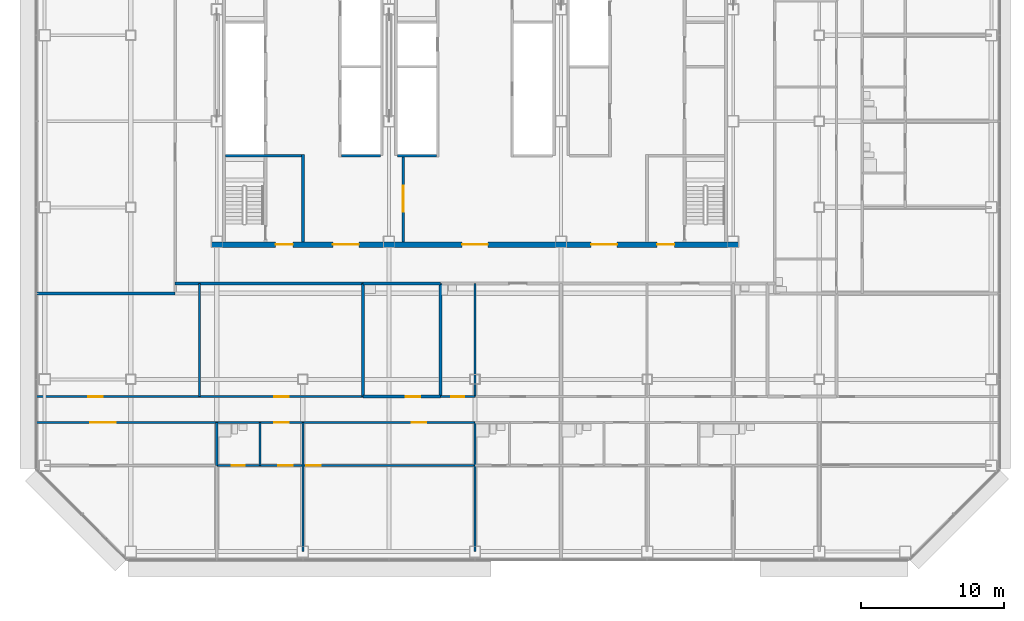
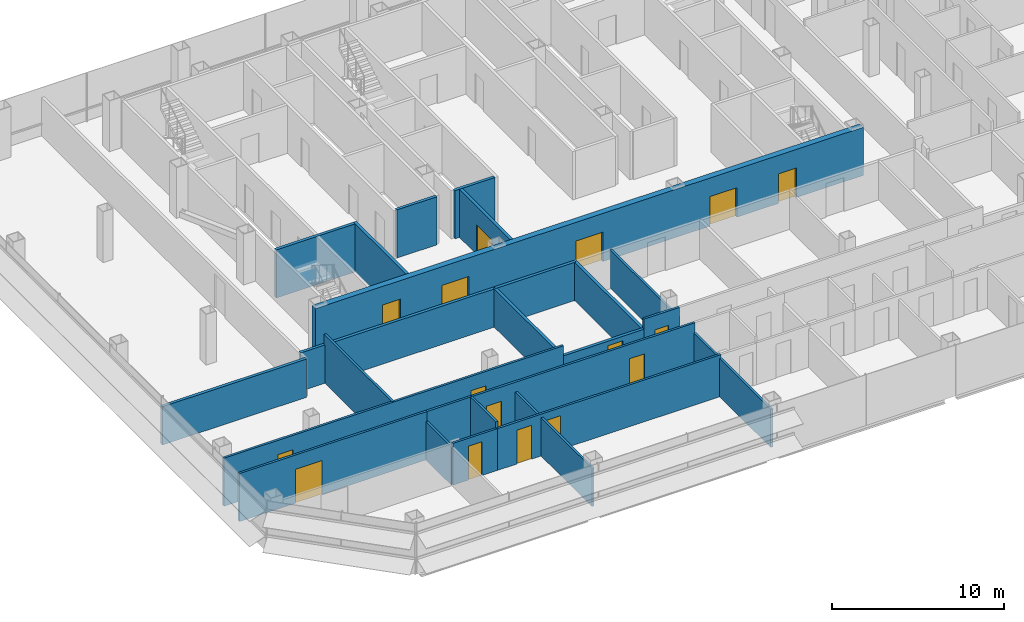
# One storey, part 19 of 25: 26 walls, 16 doors, 16 openings.
"""IFC4 building model written with IfcOpenShell, lengths in metres."""

from ifc_helpers import new_model, si_unit, direction, frame, frame_2d, origin, place, context, subcontext, project, spatial, rectangle, extrude, material, layer, layer_set, type_object, element, fill, save


model = new_model("IFC4")

# Units and contexts
model_context = context("Model", 3, precision=1e-05, world=origin(), true_north=direction((0.0, 1.0)))
body_context = subcontext(model_context, "Body", "Model", "MODEL_VIEW")
ifc_project = project(units=[si_unit("LENGTHUNIT", "METRE"), si_unit("AREAUNIT", "SQUARE_METRE"), si_unit("VOLUMEUNIT", "CUBIC_METRE"), si_unit("PLANEANGLEUNIT", "RADIAN"), si_unit("MASSUNIT", "GRAM", prefix="KILO")], contexts=[model_context])

# Site, building, storey
site_placement = place(None, origin())
site = spatial("IfcSite", under=ifc_project, at=site_placement, CompositionType="ELEMENT")
building_placement = place(site_placement, origin())
building = spatial("IfcBuilding", under=site, at=building_placement, Name="Sorahane Residences", CompositionType="ELEMENT")
storey_placement = place(building_placement, frame((0.0, 0.0, 107.0)))
storey = spatial("IfcBuildingStorey", under=building, at=storey_placement, Name="L23", CompositionType="ELEMENT", Elevation=107.0)

# Walls
ifc_material_1 = material(Name="Concrete blockwork C20 wall", Category="masonry")
ifc_layer_1 = layer(ifc_material_1, 0.199951171875)
ifc_layer_set_1 = layer_set([ifc_layer_1], Name="Corridor wall 200 EI 120")
wall_type_1 = type_object("IfcWallType", Name="Corridor wall 200 EI 120", PredefinedType="SOLIDWALL", material=ifc_layer_set_1)
wall_1_placement = place(storey_placement, frame((-6.60009765625, 18.0, 0.0), z_axis=(0.0, 0.0, 1.0), x_axis=(1.0, 0.0, 0.0)))
element("IfcWall", 1, at=wall_1_placement, inside=storey, type_object=wall_type_1, Name="L23 corridor wall", PredefinedType="SOLIDWALL", context=body_context, shape_type="SweptSolid", body=[
    extrude(rectangle(XDim=9.7001953125, YDim=0.199951171875, at=frame_2d((4.85009765625, 0.0))), origin(), (0.0, 0.0, 1.0), 2.719970703125),
])
wall_2_placement = place(storey_placement, frame((3.10009765625, 18.699951171875, 0.0), z_axis=(0.0, 0.0, 1.0), x_axis=(1.0, 0.0, 0.0)))
element("IfcWall", 2, at=wall_2_placement, inside=storey, type_object=wall_type_1, Name="L23 corridor wall", PredefinedType="SOLIDWALL", context=body_context, shape_type="SweptSolid", body=[
    extrude(rectangle(XDim=13.099853515625, YDim=0.199951171875, at=frame_2d((6.5498046875, 0.0))), origin(), (0.0, 0.0, 1.0), 2.719970703125),
])
ifc_material_2 = material(Name="Concrete C30", Category="concrete")
ifc_layer_2 = layer(ifc_material_2, 0.199951171875)
ifc_layer_set_2 = layer_set([ifc_layer_2], Name="Front room wall 200 EI 120")
wall_type_2 = type_object("IfcWallType", Name="Front room wall 200 EI 120", PredefinedType="PARTITIONING", material=ifc_layer_set_2)
wall_3_placement = place(storey_placement, frame((12.0, 21.60009765625, 0.0), z_axis=(0.0, 0.0, 1.0), x_axis=(0.0, 1.0, 0.0)))
element("IfcWall", 3, at=wall_3_placement, inside=storey, type_object=wall_type_2, Name="L23 front room wall", PredefinedType="PARTITIONING", context=body_context, shape_type="SweptSolid", body=[
    extrude(rectangle(XDim=6.099853515625, YDim=0.199951171875, at=frame_2d((3.0498046875, 0.0))), origin(), (0.0, 0.0, 1.0), 3.419921875),
])
ifc_material_3 = material(Name="Concrete blockwork C20 wall", Category="masonry")
ifc_layer_3 = layer(ifc_material_3, 0.199951171875)
ifc_layer_set_3 = layer_set([ifc_layer_3], Name="Kitchen wall 200 EI 180")
wall_type_3 = type_object("IfcWallType", Name="Kitchen wall 200 EI 180", PredefinedType="SOLIDWALL", material=ifc_layer_set_3)
for number, where, z_axis, x_axis, name in (
    (4, (16.199951171875, 10.800048828125, 0.0), (0.0, 0.0, 1.0), (0.0, 1.0, 0.0), "L23 kitchen wall"),
    (5, (21.60009765625, 10.800048828125, 0.0), (0.0, 0.0, 1.0), (0.0, 1.0, 0.0), "L23 kitchen wall"),
):
    element("IfcWall", number, at=place(storey_placement, frame(where, z_axis=z_axis, x_axis=x_axis)), inside=storey, type_object=wall_type_3, Name=name, PredefinedType="SOLIDWALL", context=body_context, shape_type="SweptSolid", body=[
        extrude(rectangle(XDim=7.89990234375, YDim=0.199951171875, at=frame_2d((3.949951171875, 0.0))), origin(), (0.0, 0.0, 1.0), 2.719970703125),
    ])

# Wall, opening, door
wall_4_placement = place(storey_placement, frame((16.199951171875, 10.800048828125, 0.0), z_axis=(0.0, 0.0, 1.0), x_axis=(1.0, 0.0, 0.0)))
wall_4 = element("IfcWall", 6, at=wall_4_placement, inside=storey, type_object=wall_type_3, Name="L23 kitchen wall", PredefinedType="SOLIDWALL", context=body_context, shape_type="SweptSolid", body=[
    extrude(rectangle(XDim=5.400146484375, YDim=0.199951171875, at=frame_2d((2.7001953125, 0.0))), origin(), (0.0, 0.0, 1.0), 2.719970703125),
])
opening_1_placement = place(wall_4_placement, frame((2.97998046875, 0.0, 0.0)))
opening_1 = element("IfcOpeningElement", 7, at=opening_1_placement, cuts=wall_4, Name="Opening L23-04", PredefinedType="OPENING", context=body_context, shape_type="SweptSolid", body=[
    extrude(rectangle(XDim=1.0, YDim=2.39990234375, at=frame_2d((0.5, 1.199951171875))), frame((0.0, 0.10986328125, 0.0), z_axis=(0.0, -1.0, 0.0), x_axis=(1.0, 0.0, 0.0)), (0.0, 0.0, 1.0), 0.219970703125),
])
ifc_material_4 = material(Name="Steel", Category="steel")
door_type_1 = type_object("IfcDoorType", Name="Kitchen door 1000x2400 FD120", OperationType="NOTDEFINED", PredefinedType="DOOR", material=ifc_material_4)
door_1_placement = place(opening_1_placement, origin())
door_1 = element("IfcDoor", 8, at=door_1_placement, inside=storey, type_object=door_type_1, Name="Kitchen door L23-04", OperationType="SINGLE_SWING_RIGHT", OverallHeight=2.39990234375, OverallWidth=1.0, PredefinedType="DOOR", context=body_context, shape_type="SweptSolid", body=[
    extrude(rectangle(XDim=1.0, YDim=2.39990234375, at=frame_2d((0.5, 1.199951171875))), frame((0.0, 0.02490234375, 0.0), z_axis=(0.0, -1.0, 0.0), x_axis=(1.0, 0.0, 0.0)), (0.0, 0.0, 1.0), 0.050048828125),
])
fill(opening_1, door_1)

# Walls
wall_5_placement = place(storey_placement, frame((16.199951171875, 18.699951171875, 0.0), z_axis=(0.0, 0.0, 1.0), x_axis=(1.0, 0.0, 0.0)))
element("IfcWall", 9, at=wall_5_placement, inside=storey, type_object=wall_type_3, Name="L23 kitchen wall", PredefinedType="SOLIDWALL", context=body_context, shape_type="SweptSolid", body=[
    extrude(rectangle(XDim=5.400146484375, YDim=0.199951171875, at=frame_2d((2.7001953125, 0.0))), origin(), (0.0, 0.0, 1.0), 2.719970703125),
])
ifc_material_5 = material(Name="Concrete C30", Category="concrete")
ifc_layer_4 = layer(ifc_material_5, 0.199951171875)
ifc_layer_set_4 = layer_set([ifc_layer_4], Name="Lift shaft wall 200 EI 120")
wall_type_4 = type_object("IfcWallType", Name="Lift shaft wall 200 EI 120", PredefinedType="SOLIDWALL", material=ifc_layer_set_4)
for number, where, z_axis, x_axis, name in (
    (10, (14.699951171875, 27.60009765625, 0.0), (0.0, 0.0, 1.0), (1.0, 0.0, 0.0), "L23 lift shaft wall"),
    (11, (18.60009765625, 27.60009765625, 0.0), (0.0, 0.0, 1.0), (1.0, 0.0, 0.0), "L23 lift shaft wall"),
):
    element("IfcWall", number, at=place(storey_placement, frame(where, z_axis=z_axis, x_axis=x_axis)), inside=storey, type_object=wall_type_4, Name=name, PredefinedType="SOLIDWALL", context=body_context, shape_type="SweptSolid", body=[
        extrude(rectangle(XDim=2.699951171875, YDim=0.199951171875, at=frame_2d((1.35009765625, 0.0))), origin(), (0.0, 0.0, 1.0), 3.419921875),
    ])
ifc_material_6 = material(Name="Gypsum board partition on steel studs", Category="steel")
ifc_layer_5 = layer(ifc_material_6, 0.14990234375)
ifc_layer_set_5 = layer_set([ifc_layer_5], Name="Partition 150 EI 90")
wall_type_5 = type_object("IfcWallType", Name="Partition 150 EI 90", PredefinedType="PARTITIONING", material=ifc_layer_set_5)
wall_6_placement = place(storey_placement, frame((12.0, 0.0, 0.0), z_axis=(0.0, 0.0, 1.0), x_axis=(0.0, 1.0, 0.0)))
element("IfcWall", 12, at=wall_6_placement, inside=storey, type_object=wall_type_5, Name="L23 partition", PredefinedType="PARTITIONING", context=body_context, shape_type="SweptSolid", body=[
    extrude(rectangle(XDim=9.0, YDim=0.14990234375, at=frame_2d((4.5, 0.0))), origin(), (0.0, 0.0, 1.0), 2.719970703125),
])
wall_7_placement = place(storey_placement, frame((24.0, 0.0, 0.0), z_axis=(0.0, 0.0, 1.0), x_axis=(0.0, 1.0, 0.0)))
element("IfcWall", 13, at=wall_7_placement, inside=storey, type_object=wall_type_5, Name="L23 partition", PredefinedType="PARTITIONING", context=body_context, shape_type="SweptSolid", body=[
    extrude(rectangle(XDim=6.0, YDim=0.14990234375, at=frame_2d((3.0, 0.0))), origin(), (0.0, 0.0, 1.0), 2.719970703125),
])
wall_8_placement = place(storey_placement, frame((4.800048828125, 10.800048828125, 0.0), z_axis=(0.0, 0.0, 1.0), x_axis=(0.0, 1.0, 0.0)))
element("IfcWall", 14, at=wall_8_placement, inside=storey, type_object=wall_type_5, Name="L23 partition", PredefinedType="PARTITIONING", context=body_context, shape_type="SweptSolid", body=[
    extrude(rectangle(XDim=7.89990234375, YDim=0.14990234375, at=frame_2d((3.949951171875, 0.0))), origin(), (0.0, 0.0, 1.0), 3.419921875),
])

# Wall, openings, doors
wall_9_placement = place(storey_placement, frame((-6.60009765625, 10.800048828125, 0.0), z_axis=(0.0, 0.0, 1.0), x_axis=(1.0, 0.0, 0.0)))
wall_9 = element("IfcWall", 15, at=wall_9_placement, inside=storey, type_object=wall_type_5, Name="L23 partition", PredefinedType="PARTITIONING", context=body_context, shape_type="SweptSolid", body=[
    extrude(rectangle(XDim=22.800048828125, YDim=0.14990234375, at=frame_2d((11.39990234375, 0.0))), origin(), (0.0, 0.0, 1.0), 3.419921875),
])
opening_2_placement = place(wall_9_placement, frame((3.639892578125, 0.0, 0.0)))
opening_2 = element("IfcOpeningElement", 16, at=opening_2_placement, cuts=wall_9, Name="Opening L23-02", PredefinedType="OPENING", context=body_context, shape_type="SweptSolid", body=[
    extrude(rectangle(XDim=1.0, YDim=2.39990234375, at=frame_2d((0.5, 1.199951171875))), frame((0.0, 0.0849609375, 0.0), z_axis=(0.0, -1.0, 0.0), x_axis=(1.0, 0.0, 0.0)), (0.0, 0.0, 1.0), 0.169921875),
])
opening_3_placement = place(wall_9_placement, frame((16.60009765625, 0.0, 0.0)))
opening_3 = element("IfcOpeningElement", 17, at=opening_3_placement, cuts=wall_9, Name="Opening L23-03", PredefinedType="OPENING", context=body_context, shape_type="SweptSolid", body=[
    extrude(rectangle(XDim=1.0, YDim=2.39990234375, at=frame_2d((0.5, 1.199951171875))), frame((0.0, 0.0849609375, 0.0), z_axis=(0.0, -1.0, 0.0), x_axis=(1.0, 0.0, 0.0)), (0.0, 0.0, 1.0), 0.169921875),
])
ifc_material_7 = material(Name="Timber veneered fire door", Category="wood")
door_type_2 = type_object("IfcDoorType", Name="Room door 1000x2400 FD30", OperationType="NOTDEFINED", PredefinedType="DOOR", material=ifc_material_7)
door_2_placement = place(opening_2_placement, origin())
door_2 = element("IfcDoor", 18, at=door_2_placement, inside=storey, type_object=door_type_2, Name="Room door L23-02", OperationType="SINGLE_SWING_LEFT", OverallHeight=2.39990234375, OverallWidth=1.0, PredefinedType="DOOR", context=body_context, shape_type="SweptSolid", body=[
    extrude(rectangle(XDim=1.0, YDim=2.39990234375, at=frame_2d((0.5, 1.199951171875))), frame((0.0, 0.02490234375, 0.0), z_axis=(0.0, -1.0, 0.0), x_axis=(1.0, 0.0, 0.0)), (0.0, 0.0, 1.0), 0.050048828125),
])
fill(opening_2, door_2)
door_3_placement = place(opening_3_placement, origin())
door_3 = element("IfcDoor", 19, at=door_3_placement, inside=storey, type_object=door_type_2, Name="Room door L23-03", OperationType="SINGLE_SWING_LEFT", OverallHeight=2.39990234375, OverallWidth=1.0, PredefinedType="DOOR", context=body_context, shape_type="SweptSolid", body=[
    extrude(rectangle(XDim=1.0, YDim=2.39990234375, at=frame_2d((0.5, 1.199951171875))), frame((0.0, 0.02490234375, 0.0), z_axis=(0.0, -1.0, 0.0), x_axis=(1.0, 0.0, 0.0)), (0.0, 0.0, 1.0), 0.050048828125),
])
fill(opening_3, door_3)

wall_10_placement = place(storey_placement, frame((9.0, 6.0, 0.0), z_axis=(0.0, 0.0, 1.0), x_axis=(1.0, 0.0, 0.0)))
wall_10 = element("IfcWall", 20, at=wall_10_placement, inside=storey, type_object=wall_type_5, Name="L23 partition", PredefinedType="PARTITIONING", context=body_context, shape_type="SweptSolid", body=[
    extrude(rectangle(XDim=15.0, YDim=0.14990234375, at=frame_2d((7.5, 0.0))), origin(), (0.0, 0.0, 1.0), 2.969970703125),
])
opening_4_placement = place(wall_10_placement, frame((1.300048828125, 0.0, 0.0)))
opening_4 = element("IfcOpeningElement", 21, at=opening_4_placement, cuts=wall_10, Name="Opening L23-11", PredefinedType="OPENING", context=body_context, shape_type="SweptSolid", body=[
    extrude(rectangle(XDim=1.0, YDim=2.39990234375, at=frame_2d((0.5, 1.199951171875))), frame((0.0, 0.0849609375, 0.0), z_axis=(0.0, -1.0, 0.0), x_axis=(1.0, 0.0, 0.0)), (0.0, 0.0, 1.0), 0.169921875),
])
opening_5_placement = place(wall_10_placement, frame((3.25, 0.0, 0.0)))
opening_5 = element("IfcOpeningElement", 22, at=opening_5_placement, cuts=wall_10, Name="Opening L23-13", PredefinedType="OPENING", context=body_context, shape_type="SweptSolid", body=[
    extrude(rectangle(XDim=1.0, YDim=2.39990234375, at=frame_2d((0.5, 1.199951171875))), frame((0.0, 0.0849609375, 0.0), z_axis=(0.0, -1.0, 0.0), x_axis=(1.0, 0.0, 0.0)), (0.0, 0.0, 1.0), 0.169921875),
])
door_4_placement = place(opening_4_placement, frame((1.0, 0.0, 0.0), z_axis=(0.0, 0.0, 1.0), x_axis=(-1.0, 0.0, 0.0)))
door_4 = element("IfcDoor", 23, at=door_4_placement, inside=storey, type_object=door_type_2, Name="Room door L23-11", OperationType="SINGLE_SWING_LEFT", OverallHeight=2.39990234375, OverallWidth=1.0, PredefinedType="DOOR", context=body_context, shape_type="SweptSolid", body=[
    extrude(rectangle(XDim=1.0, YDim=2.39990234375, at=frame_2d((0.5, 1.199951171875))), frame((0.0, 0.02490234375, 0.0), z_axis=(0.0, -1.0, 0.0), x_axis=(1.0, 0.0, 0.0)), (0.0, 0.0, 1.0), 0.050048828125),
])
fill(opening_4, door_4)
door_5_placement = place(opening_5_placement, frame((1.0, 0.0, 0.0), z_axis=(0.0, 0.0, 1.0), x_axis=(-1.0, 0.0, 0.0)))
door_5 = element("IfcDoor", 24, at=door_5_placement, inside=storey, type_object=door_type_2, Name="Room door L23-13", OperationType="SINGLE_SWING_LEFT", OverallHeight=2.39990234375, OverallWidth=1.0, PredefinedType="DOOR", context=body_context, shape_type="SweptSolid", body=[
    extrude(rectangle(XDim=1.0, YDim=2.39990234375, at=frame_2d((0.5, 1.199951171875))), frame((0.0, 0.02490234375, 0.0), z_axis=(0.0, -1.0, 0.0), x_axis=(1.0, 0.0, 0.0)), (0.0, 0.0, 1.0), 0.050048828125),
])
fill(opening_5, door_5)

# Wall, opening, door
wall_11_placement = place(storey_placement, frame((-6.60009765625, 9.0, 0.0), z_axis=(0.0, 0.0, 1.0), x_axis=(1.0, 0.0, 0.0)))
wall_11 = element("IfcWall", 25, at=wall_11_placement, inside=storey, type_object=wall_type_5, Name="L23 partition", PredefinedType="PARTITIONING", context=body_context, shape_type="SweptSolid", body=[
    extrude(rectangle(XDim=12.60009765625, YDim=0.14990234375, at=frame_2d((6.300048828125, 0.0))), origin(), (0.0, 0.0, 1.0), 3.419921875),
])
opening_6_placement = place(wall_11_placement, frame((3.760009765625, 0.0, 0.0)))
opening_6 = element("IfcOpeningElement", 26, at=opening_6_placement, cuts=wall_11, Name="Opening L23-06", PredefinedType="OPENING", context=body_context, shape_type="SweptSolid", body=[
    extrude(rectangle(XDim=1.800048828125, YDim=2.39990234375, at=frame_2d((0.89990234375, 1.199951171875))), frame((0.0, 0.0849609375, 0.0), z_axis=(0.0, -1.0, 0.0), x_axis=(1.0, 0.0, 0.0)), (0.0, 0.0, 1.0), 0.169921875),
])
ifc_material_8 = material(Name="Timber veneered fire door", Category="wood")
door_type_3 = type_object("IfcDoorType", Name="Double door 1800x2400 FD30", OperationType="NOTDEFINED", PredefinedType="DOOR", material=ifc_material_8)
door_6_placement = place(opening_6_placement, frame((1.800048828125, 0.0, 0.0), z_axis=(0.0, 0.0, 1.0), x_axis=(-1.0, 0.0, 0.0)))
door_6 = element("IfcDoor", 27, at=door_6_placement, inside=storey, type_object=door_type_3, Name="Double door L23-06", OperationType="SINGLE_SWING_LEFT", OverallHeight=2.39990234375, OverallWidth=1.800048828125, PredefinedType="DOOR", context=body_context, shape_type="SweptSolid", body=[
    extrude(rectangle(XDim=1.800048828125, YDim=2.39990234375, at=frame_2d((0.89990234375, 1.199951171875))), frame((0.0, 0.02490234375, 0.0), z_axis=(0.0, -1.0, 0.0), x_axis=(1.0, 0.0, 0.0)), (0.0, 0.0, 1.0), 0.050048828125),
])
fill(opening_6, door_6)

# Wall, openings, doors
wall_12_placement = place(storey_placement, frame((9.0, 9.0, 0.0), z_axis=(0.0, 0.0, 1.0), x_axis=(1.0, 0.0, 0.0)))
wall_12 = element("IfcWall", 28, at=wall_12_placement, inside=storey, type_object=wall_type_5, Name="L23 partition", PredefinedType="PARTITIONING", context=body_context, shape_type="SweptSolid", body=[
    extrude(rectangle(XDim=15.0, YDim=0.14990234375, at=frame_2d((7.5, 0.0))), origin(), (0.0, 0.0, 1.0), 3.419921875),
])
opening_7_placement = place(wall_12_placement, frame((1.0, 0.0, 0.0)))
opening_7 = element("IfcOpeningElement", 29, at=opening_7_placement, cuts=wall_12, Name="Opening L23-07", PredefinedType="OPENING", context=body_context, shape_type="SweptSolid", body=[
    extrude(rectangle(XDim=1.0, YDim=2.39990234375, at=frame_2d((0.5, 1.199951171875))), frame((0.0, 0.0849609375, 0.0), z_axis=(0.0, -1.0, 0.0), x_axis=(1.0, 0.0, 0.0)), (0.0, 0.0, 1.0), 0.169921875),
])
opening_8_placement = place(wall_12_placement, frame((10.60009765625, 0.0, 0.0)))
opening_8 = element("IfcOpeningElement", 30, at=opening_8_placement, cuts=wall_12, Name="Opening L23-08", PredefinedType="OPENING", context=body_context, shape_type="SweptSolid", body=[
    extrude(rectangle(XDim=1.0, YDim=2.39990234375, at=frame_2d((0.5, 1.199951171875))), frame((0.0, 0.0849609375, 0.0), z_axis=(0.0, -1.0, 0.0), x_axis=(1.0, 0.0, 0.0)), (0.0, 0.0, 1.0), 0.169921875),
])
door_7_placement = place(opening_7_placement, frame((1.0, 0.0, 0.0), z_axis=(0.0, 0.0, 1.0), x_axis=(-1.0, 0.0, 0.0)))
door_7 = element("IfcDoor", 31, at=door_7_placement, inside=storey, type_object=door_type_2, Name="Room door L23-07", OperationType="SINGLE_SWING_RIGHT", OverallHeight=2.39990234375, OverallWidth=1.0, PredefinedType="DOOR", context=body_context, shape_type="SweptSolid", body=[
    extrude(rectangle(XDim=1.0, YDim=2.39990234375, at=frame_2d((0.5, 1.199951171875))), frame((0.0, 0.02490234375, 0.0), z_axis=(0.0, -1.0, 0.0), x_axis=(1.0, 0.0, 0.0)), (0.0, 0.0, 1.0), 0.050048828125),
])
fill(opening_7, door_7)
door_8_placement = place(opening_8_placement, frame((1.0, 0.0, 0.0), z_axis=(0.0, 0.0, 1.0), x_axis=(-1.0, 0.0, 0.0)))
door_8 = element("IfcDoor", 32, at=door_8_placement, inside=storey, type_object=door_type_2, Name="Room door L23-08", OperationType="SINGLE_SWING_RIGHT", OverallHeight=2.39990234375, OverallWidth=1.0, PredefinedType="DOOR", context=body_context, shape_type="SweptSolid", body=[
    extrude(rectangle(XDim=1.0, YDim=2.39990234375, at=frame_2d((0.5, 1.199951171875))), frame((0.0, 0.02490234375, 0.0), z_axis=(0.0, -1.0, 0.0), x_axis=(1.0, 0.0, 0.0)), (0.0, 0.0, 1.0), 0.050048828125),
])
fill(opening_8, door_8)

# Wall, opening, door
ifc_material_9 = material(Name="Concrete C30", Category="concrete")
ifc_layer_6 = layer(ifc_material_9, 0.199951171875)
ifc_layer_set_6 = layer_set([ifc_layer_6], Name="Service room partition 200 EI 60")
wall_type_6 = type_object("IfcWallType", Name="Service room partition 200 EI 60", PredefinedType="PARTITIONING", material=ifc_layer_set_6)
wall_13_placement = place(storey_placement, frame((19.0, 21.60009765625, 0.0), z_axis=(0.0, 0.0, 1.0), x_axis=(0.0, 1.0, 0.0)))
wall_13 = element("IfcWall", 33, at=wall_13_placement, inside=storey, type_object=wall_type_6, Name="L23 service room wall", PredefinedType="PARTITIONING", context=body_context, shape_type="SweptSolid", body=[
    extrude(rectangle(XDim=6.0, YDim=0.199951171875, at=frame_2d((3.0, 0.0))), origin(), (0.0, 0.0, 1.0), 3.419921875),
])
opening_9_placement = place(wall_13_placement, frame((2.10009765625, 0.0, 0.0)))
opening_9 = element("IfcOpeningElement", 34, at=opening_9_placement, cuts=wall_13, Name="Opening L23-C02", PredefinedType="OPENING", context=body_context, shape_type="SweptSolid", body=[
    extrude(rectangle(XDim=1.800048828125, YDim=2.10009765625, at=frame_2d((0.89990234375, 1.050048828125))), frame((0.0, 0.10986328125, 0.0), z_axis=(0.0, -1.0, 0.0), x_axis=(1.0, 0.0, 0.0)), (0.0, 0.0, 1.0), 0.219970703125),
])
ifc_material_10 = material(Name="Steel", Category="steel")
door_type_4 = type_object("IfcDoorType", Name="Waiting hall door 1800x2100 FD60", OperationType="NOTDEFINED", PredefinedType="DOOR", material=ifc_material_10)
door_9_placement = place(opening_9_placement, origin())
door_9 = element("IfcDoor", 35, at=door_9_placement, inside=storey, type_object=door_type_4, Name="Waiting hall door Residents' waiting hall west L23", OperationType="SINGLE_SWING_LEFT", OverallHeight=2.10009765625, OverallWidth=1.800048828125, PredefinedType="DOOR", context=body_context, shape_type="SweptSolid", body=[
    extrude(rectangle(XDim=1.800048828125, YDim=2.10009765625, at=frame_2d((0.89990234375, 1.050048828125))), frame((0.0, 0.02490234375, 0.0), z_axis=(0.0, -1.0, 0.0), x_axis=(1.0, 0.0, 0.0)), (0.0, 0.0, 1.0), 0.050048828125),
])
fill(opening_9, door_9)

# Wall
ifc_material_11 = material(Name="Concrete C30", Category="concrete")
ifc_layer_7 = layer(ifc_material_11, 0.199951171875)
ifc_layer_set_7 = layer_set([ifc_layer_7], Name="Stair enclosure wall 200 EI 120")
wall_type_7 = type_object("IfcWallType", Name="Stair enclosure wall 200 EI 120", PredefinedType="SOLIDWALL", material=ifc_layer_set_7)
wall_14_placement = place(storey_placement, frame((6.60009765625, 27.60009765625, 0.0), z_axis=(0.0, 0.0, 1.0), x_axis=(1.0, 0.0, 0.0)))
element("IfcWall", 36, at=wall_14_placement, inside=storey, type_object=wall_type_7, Name="L23 stair enclosure wall", PredefinedType="SOLIDWALL", context=body_context, shape_type="SweptSolid", body=[
    extrude(rectangle(XDim=5.2998046875, YDim=0.199951171875, at=frame_2d((2.64990234375, 0.0))), origin(), (0.0, 0.0, 1.0), 3.419921875),
])

# Wall, openings, doors
ifc_material_12 = material(Name="Concrete C30", Category="concrete")
ifc_layer_8 = layer(ifc_material_12, 0.39990234375)
ifc_layer_set_8 = layer_set([ifc_layer_8], Name="Waiting hall wall 400 EI 120")
wall_type_8 = type_object("IfcWallType", Name="Waiting hall wall 400 EI 120", PredefinedType="SOLIDWALL", material=ifc_layer_set_8)
wall_15_placement = place(storey_placement, frame((5.60009765625, 21.39990234375, 0.0), z_axis=(0.0, 0.0, 1.0), x_axis=(1.0, 0.0, 0.0)))
wall_15 = element("IfcWall", 37, at=wall_15_placement, inside=storey, type_object=wall_type_8, Name="L23 waiting hall wall", PredefinedType="SOLIDWALL", context=body_context, shape_type="SweptSolid", body=[
    extrude(rectangle(XDim=36.7998046875, YDim=0.39990234375, at=frame_2d((18.39990234375, 0.0))), origin(), (0.0, 0.0, 1.0), 3.419921875),
])
opening_10_placement = place(wall_15_placement, frame((8.5, 0.0, 0.0)))
opening_10 = element("IfcOpeningElement", 38, at=opening_10_placement, cuts=wall_15, Name="Opening L23-C01", PredefinedType="OPENING", context=body_context, shape_type="SweptSolid", body=[
    extrude(rectangle(XDim=1.800048828125, YDim=2.10009765625, at=frame_2d((0.89990234375, 1.050048828125))), frame((0.0, 0.2099609375, 0.0), z_axis=(0.0, -1.0, 0.0), x_axis=(1.0, 0.0, 0.0)), (0.0, 0.0, 1.0), 0.419921875),
])
opening_11_placement = place(wall_15_placement, frame((17.5, 0.0, 0.0)))
opening_11 = element("IfcOpeningElement", 39, at=opening_11_placement, cuts=wall_15, Name="Opening L23-C03", PredefinedType="OPENING", context=body_context, shape_type="SweptSolid", body=[
    extrude(rectangle(XDim=1.800048828125, YDim=2.10009765625, at=frame_2d((0.89990234375, 1.050048828125))), frame((0.0, 0.2099609375, 0.0), z_axis=(0.0, -1.0, 0.0), x_axis=(1.0, 0.0, 0.0)), (0.0, 0.0, 1.0), 0.419921875),
])
opening_12_placement = place(wall_15_placement, frame((26.5, 0.0, 0.0)))
opening_12 = element("IfcOpeningElement", 40, at=opening_12_placement, cuts=wall_15, Name="Opening L23-C04", PredefinedType="OPENING", context=body_context, shape_type="SweptSolid", body=[
    extrude(rectangle(XDim=1.800048828125, YDim=2.10009765625, at=frame_2d((0.89990234375, 1.050048828125))), frame((0.0, 0.2099609375, 0.0), z_axis=(0.0, -1.0, 0.0), x_axis=(1.0, 0.0, 0.0)), (0.0, 0.0, 1.0), 0.419921875),
])
opening_13_placement = place(wall_15_placement, frame((4.5, 0.0, 0.0)))
opening_13 = element("IfcOpeningElement", 41, at=opening_13_placement, cuts=wall_15, Name="Opening L23-C05", PredefinedType="OPENING", context=body_context, shape_type="SweptSolid", body=[
    extrude(rectangle(XDim=1.199951171875, YDim=2.10009765625, at=frame_2d((0.60009765625, 1.050048828125))), frame((0.0, 0.2099609375, 0.0), z_axis=(0.0, -1.0, 0.0), x_axis=(1.0, 0.0, 0.0)), (0.0, 0.0, 1.0), 0.419921875),
])
opening_14_placement = place(wall_15_placement, frame((31.10009765625, 0.0, 0.0)))
opening_14 = element("IfcOpeningElement", 42, at=opening_14_placement, cuts=wall_15, Name="Opening L23-C06", PredefinedType="OPENING", context=body_context, shape_type="SweptSolid", body=[
    extrude(rectangle(XDim=1.199951171875, YDim=2.10009765625, at=frame_2d((0.60009765625, 1.050048828125))), frame((0.0, 0.2099609375, 0.0), z_axis=(0.0, -1.0, 0.0), x_axis=(1.0, 0.0, 0.0)), (0.0, 0.0, 1.0), 0.419921875),
])
ifc_material_13 = material(Name="Steel", Category="steel")
door_type_5 = type_object("IfcDoorType", Name="Stair front room door 1200x2100 FD120", OperationType="NOTDEFINED", PredefinedType="DOOR", material=ifc_material_13)
door_10_placement = place(opening_13_placement, frame((1.199951171875, 0.0, 0.0), z_axis=(0.0, 0.0, 1.0), x_axis=(-1.0, 0.0, 0.0)))
door_10 = element("IfcDoor", 43, at=door_10_placement, inside=storey, type_object=door_type_5, Name="Stair front room door Stair S4 front room L23", OperationType="SINGLE_SWING_LEFT", OverallHeight=2.10009765625, OverallWidth=1.199951171875, PredefinedType="DOOR", context=body_context, shape_type="SweptSolid", body=[
    extrude(rectangle(XDim=1.199951171875, YDim=2.10009765625, at=frame_2d((0.60009765625, 1.050048828125))), frame((0.0, 0.02490234375, 0.0), z_axis=(0.0, -1.0, 0.0), x_axis=(1.0, 0.0, 0.0)), (0.0, 0.0, 1.0), 0.050048828125),
])
fill(opening_13, door_10)
door_11_placement = place(opening_14_placement, frame((1.199951171875, 0.0, 0.0), z_axis=(0.0, 0.0, 1.0), x_axis=(-1.0, 0.0, 0.0)))
door_11 = element("IfcDoor", 44, at=door_11_placement, inside=storey, type_object=door_type_5, Name="Stair front room door Stair S5 front room L23", OperationType="SINGLE_SWING_LEFT", OverallHeight=2.10009765625, OverallWidth=1.199951171875, PredefinedType="DOOR", context=body_context, shape_type="SweptSolid", body=[
    extrude(rectangle(XDim=1.199951171875, YDim=2.10009765625, at=frame_2d((0.60009765625, 1.050048828125))), frame((0.0, 0.02490234375, 0.0), z_axis=(0.0, -1.0, 0.0), x_axis=(1.0, 0.0, 0.0)), (0.0, 0.0, 1.0), 0.050048828125),
])
fill(opening_14, door_11)
door_12_placement = place(opening_10_placement, frame((1.800048828125, 0.0, 0.0), z_axis=(0.0, 0.0, 1.0), x_axis=(-1.0, 0.0, 0.0)))
door_12 = element("IfcDoor", 45, at=door_12_placement, inside=storey, type_object=door_type_4, Name="Waiting hall door Residents' waiting hall west L23", OperationType="SINGLE_SWING_LEFT", OverallHeight=2.10009765625, OverallWidth=1.800048828125, PredefinedType="DOOR", context=body_context, shape_type="SweptSolid", body=[
    extrude(rectangle(XDim=1.800048828125, YDim=2.10009765625, at=frame_2d((0.89990234375, 1.050048828125))), frame((0.0, 0.02490234375, 0.0), z_axis=(0.0, -1.0, 0.0), x_axis=(1.0, 0.0, 0.0)), (0.0, 0.0, 1.0), 0.050048828125),
])
fill(opening_10, door_12)
door_13_placement = place(opening_11_placement, frame((1.800048828125, 0.0, 0.0), z_axis=(0.0, 0.0, 1.0), x_axis=(-1.0, 0.0, 0.0)))
door_13 = element("IfcDoor", 46, at=door_13_placement, inside=storey, type_object=door_type_4, Name="Waiting hall door Residents' waiting hall east L23", OperationType="SINGLE_SWING_LEFT", OverallHeight=2.10009765625, OverallWidth=1.800048828125, PredefinedType="DOOR", context=body_context, shape_type="SweptSolid", body=[
    extrude(rectangle(XDim=1.800048828125, YDim=2.10009765625, at=frame_2d((0.89990234375, 1.050048828125))), frame((0.0, 0.02490234375, 0.0), z_axis=(0.0, -1.0, 0.0), x_axis=(1.0, 0.0, 0.0)), (0.0, 0.0, 1.0), 0.050048828125),
])
fill(opening_11, door_13)
door_14_placement = place(opening_12_placement, frame((1.800048828125, 0.0, 0.0), z_axis=(0.0, 0.0, 1.0), x_axis=(-1.0, 0.0, 0.0)))
door_14 = element("IfcDoor", 47, at=door_14_placement, inside=storey, type_object=door_type_4, Name="Waiting hall door Residents' waiting hall east L23", OperationType="SINGLE_SWING_LEFT", OverallHeight=2.10009765625, OverallWidth=1.800048828125, PredefinedType="DOOR", context=body_context, shape_type="SweptSolid", body=[
    extrude(rectangle(XDim=1.800048828125, YDim=2.10009765625, at=frame_2d((0.89990234375, 1.050048828125))), frame((0.0, 0.02490234375, 0.0), z_axis=(0.0, -1.0, 0.0), x_axis=(1.0, 0.0, 0.0)), (0.0, 0.0, 1.0), 0.050048828125),
])
fill(opening_12, door_14)

# Walls
ifc_material_14 = material(Name="Gypsum board partition on steel studs", Category="steel")
ifc_layer_9 = layer(ifc_material_14, 0.14990234375)
ifc_layer_set_9 = layer_set([ifc_layer_9], Name="Wet wall 150 EI 90")
wall_type_9 = type_object("IfcWallType", Name="Wet wall 150 EI 90", PredefinedType="PARTITIONING", material=ifc_layer_set_9)
wall_16_placement = place(storey_placement, frame((24.0, 6.0, 0.0), z_axis=(0.0, 0.0, 1.0), x_axis=(0.0, 1.0, 0.0)))
element("IfcWall", 48, at=wall_16_placement, inside=storey, type_object=wall_type_9, Name="L23 wet wall", PredefinedType="PARTITIONING", context=body_context, shape_type="SweptSolid", body=[
    extrude(rectangle(XDim=3.0, YDim=0.14990234375, at=frame_2d((1.5, 0.0))), origin(), (0.0, 0.0, 1.0), 2.719970703125),
])
wall_17_placement = place(storey_placement, frame((24.0, 10.800048828125, 0.0), z_axis=(0.0, 0.0, 1.0), x_axis=(0.0, 1.0, 0.0)))
element("IfcWall", 49, at=wall_17_placement, inside=storey, type_object=wall_type_9, Name="L23 wet wall", PredefinedType="PARTITIONING", context=body_context, shape_type="SweptSolid", body=[
    extrude(rectangle(XDim=7.89990234375, YDim=0.14990234375, at=frame_2d((3.949951171875, 0.0))), origin(), (0.0, 0.0, 1.0), 2.719970703125),
])
wall_18_placement = place(storey_placement, frame((6.0, 6.0, 0.0), z_axis=(0.0, 0.0, 1.0), x_axis=(0.0, 1.0, 0.0)))
element("IfcWall", 50, at=wall_18_placement, inside=storey, type_object=wall_type_9, Name="L23 wet wall", PredefinedType="PARTITIONING", context=body_context, shape_type="SweptSolid", body=[
    extrude(rectangle(XDim=3.0, YDim=0.14990234375, at=frame_2d((1.5, 0.0))), origin(), (0.0, 0.0, 1.0), 2.719970703125),
])
wall_19_placement = place(storey_placement, frame((9.0, 6.0, 0.0), z_axis=(0.0, 0.0, 1.0), x_axis=(0.0, 1.0, 0.0)))
element("IfcWall", 51, at=wall_19_placement, inside=storey, type_object=wall_type_9, Name="L23 wet wall", PredefinedType="PARTITIONING", context=body_context, shape_type="SweptSolid", body=[
    extrude(rectangle(XDim=3.0, YDim=0.14990234375, at=frame_2d((1.5, 0.0))), origin(), (0.0, 0.0, 1.0), 3.419921875),
])

# Wall, opening, door
wall_20_placement = place(storey_placement, frame((21.60009765625, 10.800048828125, 0.0), z_axis=(0.0, 0.0, 1.0), x_axis=(1.0, 0.0, 0.0)))
wall_20 = element("IfcWall", 52, at=wall_20_placement, inside=storey, type_object=wall_type_9, Name="L23 wet wall", PredefinedType="PARTITIONING", context=body_context, shape_type="SweptSolid", body=[
    extrude(rectangle(XDim=2.39990234375, YDim=0.14990234375, at=frame_2d((1.199951171875, 0.0))), origin(), (0.0, 0.0, 1.0), 3.419921875),
])
opening_15_placement = place(wall_20_placement, frame((0.75, 0.0, 0.0)))
opening_15 = element("IfcOpeningElement", 53, at=opening_15_placement, cuts=wall_20, Name="Opening L23-05", PredefinedType="OPENING", context=body_context, shape_type="SweptSolid", body=[
    extrude(rectangle(XDim=0.89990234375, YDim=2.39990234375, at=frame_2d((0.449951171875, 1.199951171875))), frame((0.0, 0.0849609375, 0.0), z_axis=(0.0, -1.0, 0.0), x_axis=(1.0, 0.0, 0.0)), (0.0, 0.0, 1.0), 0.169921875),
])
ifc_material_15 = material(Name="Timber veneered fire door", Category="wood")
door_type_6 = type_object("IfcDoorType", Name="Bathroom door 900x2400 FD30", OperationType="NOTDEFINED", PredefinedType="DOOR", material=ifc_material_15)
door_15_placement = place(opening_15_placement, frame((0.89990234375, 0.0, 0.0), z_axis=(0.0, 0.0, 1.0), x_axis=(-1.0, 0.0, 0.0)))
door_15 = element("IfcDoor", 54, at=door_15_placement, inside=storey, type_object=door_type_6, Name="Bathroom door L23-05", OperationType="SINGLE_SWING_LEFT", OverallHeight=2.39990234375, OverallWidth=0.89990234375, PredefinedType="DOOR", context=body_context, shape_type="SweptSolid", body=[
    extrude(rectangle(XDim=0.89990234375, YDim=2.39990234375, at=frame_2d((0.449951171875, 1.199951171875))), frame((0.0, 0.02490234375, 0.0), z_axis=(0.0, -1.0, 0.0), x_axis=(1.0, 0.0, 0.0)), (0.0, 0.0, 1.0), 0.050048828125),
])
fill(opening_15, door_15)

wall_21_placement = place(storey_placement, frame((6.0, 6.0, 0.0), z_axis=(0.0, 0.0, 1.0), x_axis=(1.0, 0.0, 0.0)))
wall_21 = element("IfcWall", 55, at=wall_21_placement, inside=storey, type_object=wall_type_9, Name="L23 wet wall", PredefinedType="PARTITIONING", context=body_context, shape_type="SweptSolid", body=[
    extrude(rectangle(XDim=3.0, YDim=0.14990234375, at=frame_2d((1.5, 0.0))), origin(), (0.0, 0.0, 1.0), 2.969970703125),
])
opening_16_placement = place(wall_21_placement, frame((1.050048828125, 0.0, 0.0)))
opening_16 = element("IfcOpeningElement", 56, at=opening_16_placement, cuts=wall_21, Name="Opening L23-12", PredefinedType="OPENING", context=body_context, shape_type="SweptSolid", body=[
    extrude(rectangle(XDim=0.89990234375, YDim=2.39990234375, at=frame_2d((0.449951171875, 1.199951171875))), frame((0.0, 0.0849609375, 0.0), z_axis=(0.0, -1.0, 0.0), x_axis=(1.0, 0.0, 0.0)), (0.0, 0.0, 1.0), 0.169921875),
])
door_16_placement = place(opening_16_placement, frame((0.89990234375, 0.0, 0.0), z_axis=(0.0, 0.0, 1.0), x_axis=(-1.0, 0.0, 0.0)))
door_16 = element("IfcDoor", 57, at=door_16_placement, inside=storey, type_object=door_type_6, Name="Bathroom door L23-12", OperationType="SINGLE_SWING_RIGHT", OverallHeight=2.39990234375, OverallWidth=0.89990234375, PredefinedType="DOOR", context=body_context, shape_type="SweptSolid", body=[
    extrude(rectangle(XDim=0.89990234375, YDim=2.39990234375, at=frame_2d((0.449951171875, 1.199951171875))), frame((0.0, 0.02490234375, 0.0), z_axis=(0.0, -1.0, 0.0), x_axis=(1.0, 0.0, 0.0)), (0.0, 0.0, 1.0), 0.050048828125),
])
fill(opening_16, door_16)

# Wall
wall_22_placement = place(storey_placement, frame((6.0, 9.0, 0.0), z_axis=(0.0, 0.0, 1.0), x_axis=(1.0, 0.0, 0.0)))
element("IfcWall", 58, at=wall_22_placement, inside=storey, type_object=wall_type_9, Name="L23 wet wall", PredefinedType="PARTITIONING", context=body_context, shape_type="SweptSolid", body=[
    extrude(rectangle(XDim=3.0, YDim=0.14990234375, at=frame_2d((1.5, 0.0))), origin(), (0.0, 0.0, 1.0), 3.419921875),
])

save(model, "model.ifc")
